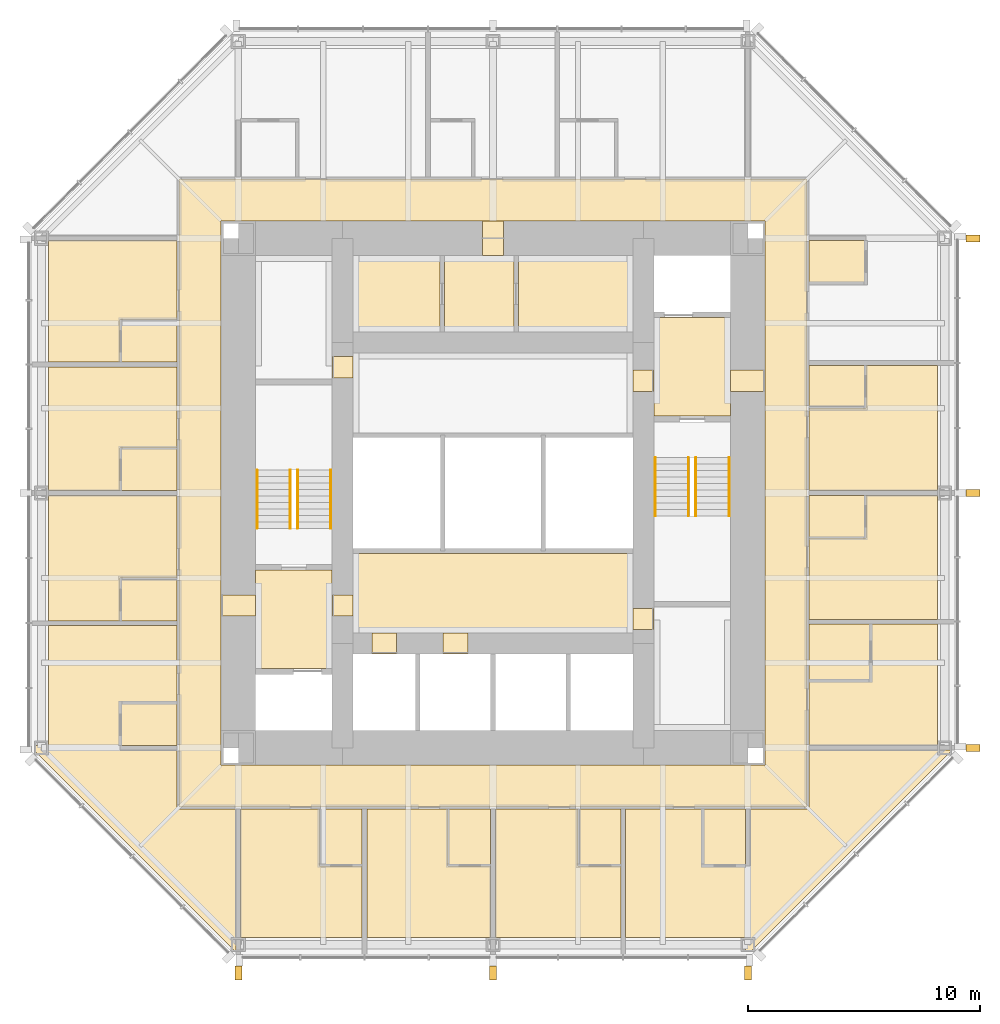
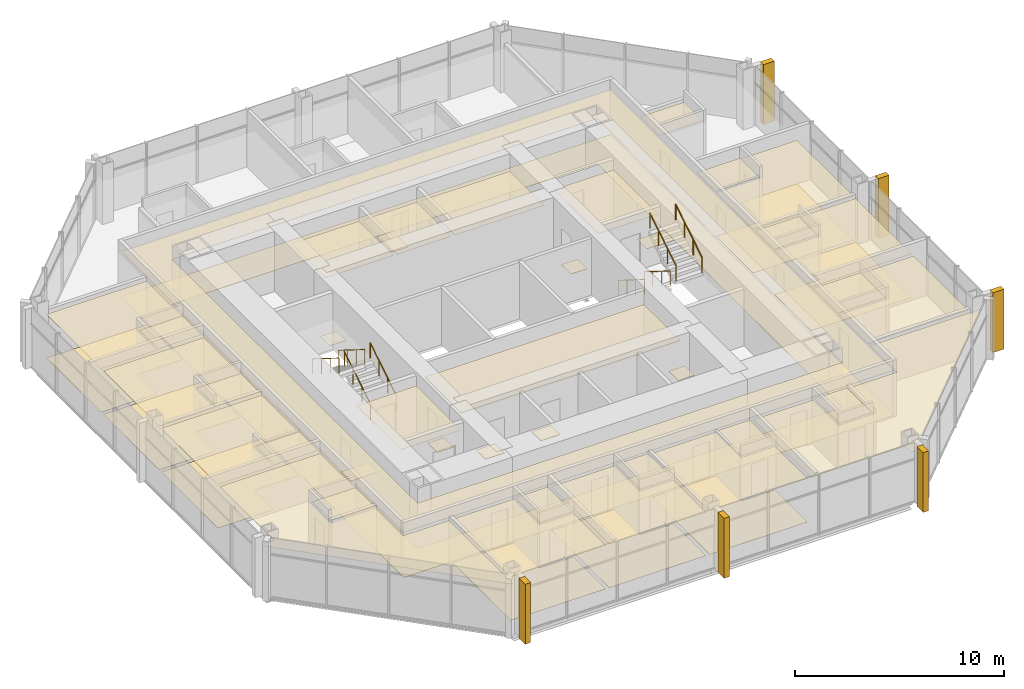
# One storey, part 11 of 12: 54 coverings, 8 railings.
"""IFC4 building model written with IfcOpenShell, lengths in metres."""

from ifc_helpers import new_model, si_unit, direction, frame, origin, origin_2d, place, context, subcontext, project, spatial, polyline, rectangle, circle, outline, extrude, material, layer, layer_set, type_object, element, save


model = new_model("IFC4")

# Units and contexts
model_context = context("Model", 3, precision=1e-05, world=origin(), true_north=direction((0.0, 1.0)))
body_context = subcontext(model_context, "Body", "Model", "MODEL_VIEW")
ifc_project = project(units=[si_unit("LENGTHUNIT", "METRE"), si_unit("AREAUNIT", "SQUARE_METRE"), si_unit("VOLUMEUNIT", "CUBIC_METRE"), si_unit("PLANEANGLEUNIT", "RADIAN"), si_unit("MASSUNIT", "GRAM", prefix="KILO")], contexts=[model_context])

# Site, building, storey
site_placement = place(None, origin())
site = spatial("IfcSite", under=ifc_project, at=site_placement, CompositionType="ELEMENT")
building_placement = place(site_placement, origin())
building = spatial("IfcBuilding", under=site, at=building_placement, Name="Trevanion Tower", CompositionType="ELEMENT")
storey_placement = place(building_placement, frame((0.0, 0.0, 204.699951171875)))
storey = spatial("IfcBuildingStorey", under=building, at=storey_placement, Name="L48", CompositionType="ELEMENT", Elevation=204.699951171875)

# Coverings
ifc_material_1 = material(Name="Fibrous plaster coffers on suspended steel grid", Category="steel")
ifc_layer_1 = layer(ifc_material_1, 0.050048828125)
ifc_layer_set_1 = layer_set([ifc_layer_1], Name="CL1 coffered fibrous plaster ceiling 50")
covering_type_1 = type_object("IfcCoveringType", Name="CL1 coffered fibrous plaster ceiling 50", PredefinedType="CEILING", material=ifc_layer_set_1)
covering_1_placement = place(storey_placement, frame((0.0, 0.0, 2.429931640625)))
element("IfcCovering", 1, at=covering_1_placement, inside=storey, type_object=covering_type_1, Name="CL1 L48-LBS", PredefinedType="CEILING", context=body_context, shape_type="SweptSolid", body=[
    extrude(outline(polyline([(6.050048828125, -6.050048828125), (6.050048828125, -2.60009765625), (-6.050048828125, -2.60009765625), (-6.050048828125, -6.050048828125), (6.050048828125, -6.050048828125)])), origin(), (0.0, 0.0, 1.0), 0.050048828125),
])
ifc_material_2 = material(Name="Mineral fibre acoustic tiles in exposed grid", Category="mineral fibre")
ifc_layer_2 = layer(ifc_material_2, 0.02001953125)
ifc_layer_set_2 = layer_set([ifc_layer_2], Name="CL2 acoustic tile ceiling 20")
covering_type_2 = type_object("IfcCoveringType", Name="CL2 acoustic tile ceiling 20", PredefinedType="CEILING", material=ifc_layer_set_2)
covering_2_placement = place(storey_placement, frame((0.0, 0.0, 2.4599609375)))
element("IfcCovering", 2, at=covering_2_placement, inside=storey, type_object=covering_type_2, Name="CL2 L48-HKC", PredefinedType="CEILING", context=body_context, shape_type="SweptSolid", body=[
    extrude(outline(polyline([(0.89990234375, 6.949951171875), (0.89990234375, 10.25), (-2.10009765625, 10.25), (-2.10009765625, 6.949951171875), (0.89990234375, 6.949951171875)])), origin(), (0.0, 0.0, 1.0), 0.02001953125),
])
covering_3_placement = place(storey_placement, frame((0.0, 0.0, 2.633056640625)))
element("IfcCovering", 3, at=covering_3_placement, inside=storey, type_object=covering_type_2, Name="CL2 L48-CO", PredefinedType="CEILING", context=body_context, shape_type="SweptSolid", body=[
    extrude(outline(polyline([(-13.550048828125, -13.550048828125), (-13.550048828125, 13.550048828125), (13.550048828125, 13.550048828125), (13.550048828125, -13.550048828125), (-13.550048828125, -13.550048828125)]), holes=[polyline([(11.75, 11.75), (-11.75, 11.75), (-11.75, -11.75), (11.75, -11.75), (11.75, 11.75)])]), origin(), (0.0, 0.0, 1.0), 0.02001953125),
])
ifc_material_3 = material(Name="Gypsum plasterboard on suspended metal furring", Category="gypsum")
ifc_layer_3 = layer(ifc_material_3, 0.012939453125)
ifc_layer_set_3 = layer_set([ifc_layer_3], Name="CL3 plasterboard ceiling 13")
covering_type_3 = type_object("IfcCoveringType", Name="CL3 plasterboard ceiling 13", PredefinedType="CEILING", material=ifc_layer_set_3)
covering_4_placement = place(storey_placement, frame((0.0, 0.0, 2.699951171875)))
element("IfcCovering", 4, at=covering_4_placement, inside=storey, type_object=covering_type_3, Name="CL3 L48-FV1", PredefinedType="CEILING", context=body_context, shape_type="SweptSolid", body=[
    extrude(outline(polyline([(10.25, 3.324951171875), (10.25, 7.574951171875), (6.949951171875, 7.574951171875), (6.949951171875, 3.324951171875), (10.25, 3.324951171875)])), origin(), (0.0, 0.0, 1.0), 0.01318359375),
])
covering_5_placement = place(storey_placement, frame((0.0, 0.0, 2.699951171875)))
element("IfcCovering", 5, at=covering_5_placement, inside=storey, type_object=covering_type_3, Name="CL3 L48-FV2", PredefinedType="CEILING", context=body_context, shape_type="SweptSolid", body=[
    extrude(outline(polyline([(-10.25, -3.324951171875), (-10.25, -7.574951171875), (-6.949951171875, -7.574951171875), (-6.949951171875, -3.324951171875), (-10.25, -3.324951171875)])), origin(), (0.0, 0.0, 1.0), 0.01318359375),
])
covering_6_placement = place(storey_placement, frame((0.0, 0.0, 2.551025390625)))
element("IfcCovering", 6, at=covering_6_placement, inside=storey, type_object=covering_type_3, Name="CL3 L48-GA", PredefinedType="CEILING", context=body_context, shape_type="SweptSolid", body=[
    extrude(outline(polyline([(13.64990234375, -8.09912109375), (16.300048828125, -8.09912109375), (16.300048828125, -5.64892578125), (19.199951171875, -5.64892578125), (19.199951171875, -10.89990234375), (13.64990234375, -10.89990234375), (13.64990234375, -8.09912109375)])), origin(), (0.0, 0.0, 1.0), 0.012939453125),
])
covering_7_placement = place(storey_placement, frame((0.0, 0.0, 2.551025390625)))
element("IfcCovering", 7, at=covering_7_placement, inside=storey, type_object=covering_type_3, Name="CL3 L48-GR", PredefinedType="CEILING", context=body_context, shape_type="SweptSolid", body=[
    extrude(outline(polyline([(13.64990234375, -1.949951171875), (16.10009765625, -1.949951171875), (16.10009765625, -0.10009765625), (19.199951171875, -0.10009765625), (19.199951171875, -5.448974609375), (13.64990234375, -5.448974609375), (13.64990234375, -1.949951171875)])), origin(), (0.0, 0.0, 1.0), 0.012939453125),
])
covering_8_placement = place(storey_placement, frame((0.0, 0.0, 2.551025390625)))
element("IfcCovering", 8, at=covering_8_placement, inside=storey, type_object=covering_type_3, Name="CL3 L48-GR2", PredefinedType="CEILING", context=body_context, shape_type="SweptSolid", body=[
    extrude(outline(polyline([(13.64990234375, 3.6640625), (16.10009765625, 3.6640625), (16.10009765625, 5.513916015625), (19.199951171875, 5.513916015625), (19.199951171875, 0.10009765625), (13.64990234375, 0.10009765625), (13.64990234375, 3.6640625)])), origin(), (0.0, 0.0, 1.0), 0.012939453125),
])
covering_9_placement = place(storey_placement, frame((0.0, 0.0, 2.551025390625)))
element("IfcCovering", 9, at=covering_9_placement, inside=storey, type_object=covering_type_3, Name="CL3 L48-GR5", PredefinedType="CEILING", context=body_context, shape_type="SweptSolid", body=[
    extrude(outline(polyline([(-13.64990234375, 7.4990234375), (-16.10009765625, 7.4990234375), (-16.10009765625, 5.64892578125), (-19.199951171875, 5.64892578125), (-19.199951171875, 10.89990234375), (-13.64990234375, 10.89990234375), (-13.64990234375, 7.4990234375)])), origin(), (0.0, 0.0, 1.0), 0.012939453125),
])
covering_10_placement = place(storey_placement, frame((0.0, 0.0, 2.551025390625)))
element("IfcCovering", 10, at=covering_10_placement, inside=storey, type_object=covering_type_3, Name="CL3 L48-GR6", PredefinedType="CEILING", context=body_context, shape_type="SweptSolid", body=[
    extrude(outline(polyline([(-13.64990234375, 1.949951171875), (-16.10009765625, 1.949951171875), (-16.10009765625, 0.10009765625), (-19.199951171875, 0.10009765625), (-19.199951171875, 5.448974609375), (-13.64990234375, 5.448974609375), (-13.64990234375, 1.949951171875)])), origin(), (0.0, 0.0, 1.0), 0.012939453125),
])
covering_11_placement = place(storey_placement, frame((0.0, 0.0, 2.551025390625)))
element("IfcCovering", 11, at=covering_11_placement, inside=storey, type_object=covering_type_3, Name="CL3 L48-GR7", PredefinedType="CEILING", context=body_context, shape_type="SweptSolid", body=[
    extrude(outline(polyline([(-13.64990234375, -3.6640625), (-16.10009765625, -3.6640625), (-16.10009765625, -5.513916015625), (-19.199951171875, -5.513916015625), (-19.199951171875, -0.10009765625), (-13.64990234375, -0.10009765625), (-13.64990234375, -3.6640625)])), origin(), (0.0, 0.0, 1.0), 0.012939453125),
])
covering_12_placement = place(storey_placement, frame((0.0, 0.0, 2.551025390625)))
element("IfcCovering", 12, at=covering_12_placement, inside=storey, type_object=covering_type_3, Name="CL3 L48-GR8", PredefinedType="CEILING", context=body_context, shape_type="SweptSolid", body=[
    extrude(outline(polyline([(-11.10009765625, -13.64990234375), (-11.10009765625, -19.800048828125), (-11.124267578125, -19.800048828125), (-19.800048828125, -11.124267578125), (-19.800048828125, -10.89990234375), (-19.199951171875, -10.89990234375), (-19.199951171875, -5.714111328125), (-13.64990234375, -5.714111328125), (-13.64990234375, -9.050048828125), (-16.10009765625, -9.050048828125), (-16.10009765625, -10.949951171875), (-13.64990234375, -10.949951171875), (-13.64990234375, -13.64990234375), (-11.10009765625, -13.64990234375)])), origin(), (0.0, 0.0, 1.0), 0.012939453125),
])
covering_13_placement = place(storey_placement, frame((0.0, 0.0, 2.551025390625)))
element("IfcCovering", 13, at=covering_13_placement, inside=storey, type_object=covering_type_3, Name="CL3 L48-GR9", PredefinedType="CEILING", context=body_context, shape_type="SweptSolid", body=[
    extrude(outline(polyline([(-7.4990234375, -13.64990234375), (-7.4990234375, -16.10009765625), (-5.64892578125, -16.10009765625), (-5.64892578125, -19.199951171875), (-10.89990234375, -19.199951171875), (-10.89990234375, -13.64990234375), (-7.4990234375, -13.64990234375)])), origin(), (0.0, 0.0, 1.0), 0.012939453125),
])
covering_14_placement = place(storey_placement, frame((0.0, 0.0, 2.551025390625)))
element("IfcCovering", 14, at=covering_14_placement, inside=storey, type_object=covering_type_3, Name="CL3 L48-GR10", PredefinedType="CEILING", context=body_context, shape_type="SweptSolid", body=[
    extrude(outline(polyline([(-1.949951171875, -13.64990234375), (-1.949951171875, -16.10009765625), (-0.10009765625, -16.10009765625), (-0.10009765625, -19.199951171875), (-5.448974609375, -19.199951171875), (-5.448974609375, -13.64990234375), (-1.949951171875, -13.64990234375)])), origin(), (0.0, 0.0, 1.0), 0.012939453125),
])
covering_15_placement = place(storey_placement, frame((0.0, 0.0, 2.551025390625)))
element("IfcCovering", 15, at=covering_15_placement, inside=storey, type_object=covering_type_3, Name="CL3 L48-GR11", PredefinedType="CEILING", context=body_context, shape_type="SweptSolid", body=[
    extrude(outline(polyline([(3.6640625, -13.64990234375), (3.6640625, -16.10009765625), (5.513916015625, -16.10009765625), (5.513916015625, -19.199951171875), (0.10009765625, -19.199951171875), (0.10009765625, -13.64990234375), (3.6640625, -13.64990234375)])), origin(), (0.0, 0.0, 1.0), 0.012939453125),
])
covering_16_placement = place(storey_placement, frame((0.0, 0.0, 2.551025390625)))
element("IfcCovering", 16, at=covering_16_placement, inside=storey, type_object=covering_type_3, Name="CL3 L48-GR12", PredefinedType="CEILING", context=body_context, shape_type="SweptSolid", body=[
    extrude(outline(polyline([(13.64990234375, -11.10009765625), (19.800048828125, -11.10009765625), (19.800048828125, -11.124267578125), (11.124267578125, -19.800048828125), (10.89990234375, -19.800048828125), (10.89990234375, -19.199951171875), (5.714111328125, -19.199951171875), (5.714111328125, -13.64990234375), (9.050048828125, -13.64990234375), (9.050048828125, -16.10009765625), (10.949951171875, -16.10009765625), (10.949951171875, -13.64990234375), (13.64990234375, -13.64990234375), (13.64990234375, -11.10009765625)])), origin(), (0.0, 0.0, 1.0), 0.012939453125),
])
ifc_material_4 = material(Name="Moisture-resistant gypsum board on suspended metal furring", Category="gypsum")
ifc_layer_4 = layer(ifc_material_4, 0.01611328125)
ifc_layer_set_4 = layer_set([ifc_layer_4], Name="CL4 moisture-resistant board ceiling 16")
covering_type_4 = type_object("IfcCoveringType", Name="CL4 moisture-resistant board ceiling 16", PredefinedType="CEILING", material=ifc_layer_set_4)
covering_17_placement = place(storey_placement, frame((0.0, 0.0, 2.464111328125)))
element("IfcCovering", 17, at=covering_17_placement, inside=storey, type_object=covering_type_4, Name="CL4 L48-HK", PredefinedType="CEILING", context=body_context, shape_type="SweptSolid", body=[
    extrude(outline(polyline([(-2.300048828125, 6.949951171875), (-2.300048828125, 10.25), (-6.050048828125, 10.25), (-6.050048828125, 6.949951171875), (-2.300048828125, 6.949951171875)])), origin(), (0.0, 0.0, 1.0), 0.015869140625),
])
covering_18_placement = place(storey_placement, frame((0.0, 0.0, 2.464111328125)))
element("IfcCovering", 18, at=covering_18_placement, inside=storey, type_object=covering_type_4, Name="CL4 L48-HKL", PredefinedType="CEILING", context=body_context, shape_type="SweptSolid", body=[
    extrude(outline(polyline([(6.050048828125, 6.949951171875), (6.050048828125, 10.25), (1.10009765625, 10.25), (1.10009765625, 6.949951171875), (6.050048828125, 6.949951171875)])), origin(), (0.0, 0.0, 1.0), 0.015869140625),
])
covering_19_placement = place(storey_placement, frame((0.0, 0.0, 2.60009765625)))
element("IfcCovering", 19, at=covering_19_placement, inside=storey, type_object=covering_type_4, Name="CL4 L48-EN", PredefinedType="CEILING", context=body_context, shape_type="SweptSolid", body=[
    extrude(outline(polyline([(16.25, -8.049072265625), (16.25, -5.64892578125), (13.64990234375, -5.64892578125), (13.64990234375, -8.049072265625), (16.25, -8.049072265625)])), origin(), (0.0, 0.0, 1.0), 0.015869140625),
])
covering_20_placement = place(storey_placement, frame((0.0, 0.0, 2.60009765625)))
element("IfcCovering", 20, at=covering_20_placement, inside=storey, type_object=covering_type_4, Name="CL4 L48-EN2", PredefinedType="CEILING", context=body_context, shape_type="SweptSolid", body=[
    extrude(outline(polyline([(16.050048828125, -1.89990234375), (16.050048828125, -0.10009765625), (13.64990234375, -0.10009765625), (13.64990234375, -1.89990234375), (16.050048828125, -1.89990234375)])), origin(), (0.0, 0.0, 1.0), 0.015869140625),
])
covering_21_placement = place(storey_placement, frame((0.0, 0.0, 2.60009765625)))
element("IfcCovering", 21, at=covering_21_placement, inside=storey, type_object=covering_type_4, Name="CL4 L48-EN3", PredefinedType="CEILING", context=body_context, shape_type="SweptSolid", body=[
    extrude(outline(polyline([(16.050048828125, 3.714111328125), (16.050048828125, 5.513916015625), (13.64990234375, 5.513916015625), (13.64990234375, 3.714111328125), (16.050048828125, 3.714111328125)])), origin(), (0.0, 0.0, 1.0), 0.015869140625),
])
covering_22_placement = place(storey_placement, frame((0.0, 0.0, 2.60009765625)))
element("IfcCovering", 22, at=covering_22_placement, inside=storey, type_object=covering_type_4, Name="CL4 L48-EN4", PredefinedType="CEILING", context=body_context, shape_type="SweptSolid", body=[
    extrude(outline(polyline([(16.050048828125, 9.10009765625), (16.050048828125, 10.89990234375), (13.64990234375, 10.89990234375), (13.64990234375, 9.10009765625), (16.050048828125, 9.10009765625)])), origin(), (0.0, 0.0, 1.0), 0.015869140625),
])
covering_23_placement = place(storey_placement, frame((0.0, 0.0, 2.60009765625)))
element("IfcCovering", 23, at=covering_23_placement, inside=storey, type_object=covering_type_4, Name="CL4 L48-EN8", PredefinedType="CEILING", context=body_context, shape_type="SweptSolid", body=[
    extrude(outline(polyline([(-16.050048828125, 7.448974609375), (-16.050048828125, 5.64892578125), (-13.64990234375, 5.64892578125), (-13.64990234375, 7.448974609375), (-16.050048828125, 7.448974609375)])), origin(), (0.0, 0.0, 1.0), 0.015869140625),
])
covering_24_placement = place(storey_placement, frame((0.0, 0.0, 2.60009765625)))
element("IfcCovering", 24, at=covering_24_placement, inside=storey, type_object=covering_type_4, Name="CL4 L48-EN9", PredefinedType="CEILING", context=body_context, shape_type="SweptSolid", body=[
    extrude(outline(polyline([(-16.050048828125, 1.89990234375), (-16.050048828125, 0.10009765625), (-13.64990234375, 0.10009765625), (-13.64990234375, 1.89990234375), (-16.050048828125, 1.89990234375)])), origin(), (0.0, 0.0, 1.0), 0.015869140625),
])
covering_25_placement = place(storey_placement, frame((0.0, 0.0, 2.60009765625)))
element("IfcCovering", 25, at=covering_25_placement, inside=storey, type_object=covering_type_4, Name="CL4 L48-EN10", PredefinedType="CEILING", context=body_context, shape_type="SweptSolid", body=[
    extrude(outline(polyline([(-16.050048828125, -3.714111328125), (-16.050048828125, -5.513916015625), (-13.64990234375, -5.513916015625), (-13.64990234375, -3.714111328125), (-16.050048828125, -3.714111328125)])), origin(), (0.0, 0.0, 1.0), 0.015869140625),
])
covering_26_placement = place(storey_placement, frame((0.0, 0.0, 2.60009765625)))
element("IfcCovering", 26, at=covering_26_placement, inside=storey, type_object=covering_type_4, Name="CL4 L48-EN11", PredefinedType="CEILING", context=body_context, shape_type="SweptSolid", body=[
    extrude(outline(polyline([(-16.050048828125, -9.10009765625), (-16.050048828125, -10.89990234375), (-13.64990234375, -10.89990234375), (-13.64990234375, -9.10009765625), (-16.050048828125, -9.10009765625)])), origin(), (0.0, 0.0, 1.0), 0.015869140625),
])
covering_27_placement = place(storey_placement, frame((0.0, 0.0, 2.60009765625)))
element("IfcCovering", 27, at=covering_27_placement, inside=storey, type_object=covering_type_4, Name="CL4 L48-EN12", PredefinedType="CEILING", context=body_context, shape_type="SweptSolid", body=[
    extrude(outline(polyline([(-7.448974609375, -16.050048828125), (-5.64892578125, -16.050048828125), (-5.64892578125, -13.64990234375), (-7.448974609375, -13.64990234375), (-7.448974609375, -16.050048828125)])), origin(), (0.0, 0.0, 1.0), 0.015869140625),
])
covering_28_placement = place(storey_placement, frame((0.0, 0.0, 2.60009765625)))
element("IfcCovering", 28, at=covering_28_placement, inside=storey, type_object=covering_type_4, Name="CL4 L48-EN13", PredefinedType="CEILING", context=body_context, shape_type="SweptSolid", body=[
    extrude(outline(polyline([(-1.89990234375, -16.050048828125), (-0.10009765625, -16.050048828125), (-0.10009765625, -13.64990234375), (-1.89990234375, -13.64990234375), (-1.89990234375, -16.050048828125)])), origin(), (0.0, 0.0, 1.0), 0.015869140625),
])
covering_29_placement = place(storey_placement, frame((0.0, 0.0, 2.60009765625)))
element("IfcCovering", 29, at=covering_29_placement, inside=storey, type_object=covering_type_4, Name="CL4 L48-EN14", PredefinedType="CEILING", context=body_context, shape_type="SweptSolid", body=[
    extrude(outline(polyline([(3.714111328125, -16.050048828125), (5.513916015625, -16.050048828125), (5.513916015625, -13.64990234375), (3.714111328125, -13.64990234375), (3.714111328125, -16.050048828125)])), origin(), (0.0, 0.0, 1.0), 0.015869140625),
])
covering_30_placement = place(storey_placement, frame((0.0, 0.0, 2.60009765625)))
element("IfcCovering", 30, at=covering_30_placement, inside=storey, type_object=covering_type_4, Name="CL4 L48-EN15", PredefinedType="CEILING", context=body_context, shape_type="SweptSolid", body=[
    extrude(outline(polyline([(9.10009765625, -16.050048828125), (10.89990234375, -16.050048828125), (10.89990234375, -13.64990234375), (9.10009765625, -13.64990234375), (9.10009765625, -16.050048828125)])), origin(), (0.0, 0.0, 1.0), 0.015869140625),
])
ifc_material_5 = material(Name="Cast bronze fin on aluminium carrier", Category="aluminium")
covering_type_5 = type_object("IfcCoveringType", Name="F1 bronze fin", PredefinedType="CLADDING", material=ifc_material_5)
for number, where, z_axis, x_axis, name in (
    (31, (20.72509765625, -11.0, -0.18994140625), (0.0, 0.0, 1.0), (0.0, 1.0, 0.0), "F1 L48 east -11.0"),
    (32, (20.72509765625, 0.0, -0.18994140625), (0.0, 0.0, 1.0), (0.0, 1.0, 0.0), "F1 L48 east +0.0"),
    (33, (20.72509765625, 11.0, -0.18994140625), (0.0, 0.0, 1.0), (0.0, 1.0, 0.0), "F1 L48 east +11.0"),
    (34, (-11.0, -20.72509765625, -0.18994140625), (0.0, 0.0, 1.0), (1.0, 0.0, 0.0), "F1 L48 south -11.0"),
    (35, (0.0, -20.72509765625, -0.18994140625), (0.0, 0.0, 1.0), (1.0, 0.0, 0.0), "F1 L48 south +0.0"),
    (36, (11.0, -20.72509765625, -0.18994140625), (0.0, 0.0, 1.0), (1.0, 0.0, 0.0), "F1 L48 south +11.0"),
):
    element("IfcCovering", number, at=place(storey_placement, frame(where, z_axis=z_axis, x_axis=x_axis)), inside=storey, type_object=covering_type_5, Name=name, PredefinedType="CLADDING", context=body_context, shape_type="SweptSolid", body=[
        extrude(rectangle(XDim=0.300048828125, YDim=0.60009765625, at=origin_2d()), origin(), (0.0, 0.0, 1.0), 3.5),
    ])
ifc_material_6 = material(Name="Terrazzo, brass divider strips", Category="stone")
ifc_layer_5 = layer(ifc_material_6, 0.02001953125)
ifc_layer_set_5 = layer_set([ifc_layer_5], Name="FF1 terrazzo flooring")
covering_type_6 = type_object("IfcCoveringType", Name="FF1 terrazzo flooring", PredefinedType="FLOORING", material=ifc_layer_set_5)
covering_31_placement = place(storey_placement, origin())
element("IfcCovering", 37, at=covering_31_placement, inside=storey, type_object=covering_type_6, Name="FF1 threshold 48-001", PredefinedType="FLOORING", context=body_context, shape_type="SweptSolid", body=[
    extrude(outline(polyline([(11.75, 4.392578125), (11.75, 5.3076171875), (10.25, 5.3076171875), (10.25, 4.392578125), (11.75, 4.392578125)])), origin(), (0.0, 0.0, 1.0), 0.02001953125),
])
covering_32_placement = place(storey_placement, origin())
element("IfcCovering", 38, at=covering_32_placement, inside=storey, type_object=covering_type_6, Name="FF1 threshold 48-002", PredefinedType="FLOORING", context=body_context, shape_type="SweptSolid", body=[
    extrude(outline(polyline([(-11.75, -4.392578125), (-11.75, -5.3076171875), (-10.25, -5.3076171875), (-10.25, -4.392578125), (-11.75, -4.392578125)])), origin(), (0.0, 0.0, 1.0), 0.02001953125),
])
covering_33_placement = place(storey_placement, origin())
element("IfcCovering", 39, at=covering_33_placement, inside=storey, type_object=covering_type_6, Name="FF1 threshold 48-003", PredefinedType="FLOORING", context=body_context, shape_type="SweptSolid", body=[
    extrude(outline(polyline([(6.949951171875, 4.392578125), (6.949951171875, 5.3076171875), (6.050048828125, 5.3076171875), (6.050048828125, 4.392578125), (6.949951171875, 4.392578125)])), origin(), (0.0, 0.0, 1.0), 0.02001953125),
])
covering_34_placement = place(storey_placement, origin())
element("IfcCovering", 40, at=covering_34_placement, inside=storey, type_object=covering_type_6, Name="FF1 threshold 48-004", PredefinedType="FLOORING", context=body_context, shape_type="SweptSolid", body=[
    extrude(outline(polyline([(-6.949951171875, -4.392578125), (-6.949951171875, -5.3076171875), (-6.050048828125, -5.3076171875), (-6.050048828125, -4.392578125), (-6.949951171875, -4.392578125)])), origin(), (0.0, 0.0, 1.0), 0.02001953125),
])
covering_35_placement = place(storey_placement, origin())
element("IfcCovering", 41, at=covering_35_placement, inside=storey, type_object=covering_type_6, Name="FF1 threshold 48-009", PredefinedType="FLOORING", context=body_context, shape_type="SweptSolid", body=[
    extrude(outline(polyline([(6.949951171875, -5.889892578125), (6.949951171875, -4.97509765625), (6.050048828125, -4.97509765625), (6.050048828125, -5.889892578125), (6.949951171875, -5.889892578125)])), origin(), (0.0, 0.0, 1.0), 0.02001953125),
])
covering_36_placement = place(storey_placement, origin())
element("IfcCovering", 42, at=covering_36_placement, inside=storey, type_object=covering_type_6, Name="FF1 threshold 48-010", PredefinedType="FLOORING", context=body_context, shape_type="SweptSolid", body=[
    extrude(outline(polyline([(-6.949951171875, 5.889892578125), (-6.949951171875, 4.97509765625), (-6.050048828125, 4.97509765625), (-6.050048828125, 5.889892578125), (-6.949951171875, 5.889892578125)])), origin(), (0.0, 0.0, 1.0), 0.02001953125),
])
covering_37_placement = place(storey_placement, origin())
element("IfcCovering", 43, at=covering_37_placement, inside=storey, type_object=covering_type_6, Name="FF1 threshold 48-011", PredefinedType="FLOORING", context=body_context, shape_type="SweptSolid", body=[
    extrude(outline(polyline([(-5.2333984375, -6.949951171875), (-4.16650390625, -6.949951171875), (-4.16650390625, -6.050048828125), (-5.2333984375, -6.050048828125), (-5.2333984375, -6.949951171875)])), origin(), (0.0, 0.0, 1.0), 0.02001953125),
])
covering_38_placement = place(storey_placement, origin())
element("IfcCovering", 44, at=covering_38_placement, inside=storey, type_object=covering_type_6, Name="FF1 threshold 48-012", PredefinedType="FLOORING", context=body_context, shape_type="SweptSolid", body=[
    extrude(outline(polyline([(-2.158447265625, -6.949951171875), (-1.091552734375, -6.949951171875), (-1.091552734375, -6.050048828125), (-2.158447265625, -6.050048828125), (-2.158447265625, -6.949951171875)])), origin(), (0.0, 0.0, 1.0), 0.02001953125),
])
covering_39_placement = place(storey_placement, origin())
element("IfcCovering", 45, at=covering_39_placement, inside=storey, type_object=covering_type_6, Name="FF1 threshold 48-013", PredefinedType="FLOORING", context=body_context, shape_type="SweptSolid", body=[
    extrude(outline(polyline([(0.45751953125, 11.75), (-0.45751953125, 11.75), (-0.45751953125, 10.25), (0.45751953125, 10.25), (0.45751953125, 11.75)])), origin(), (0.0, 0.0, 1.0), 0.02001953125),
])
ifc_material_7 = material(Name="Wool carpet on underlay", Category="textile")
ifc_layer_6 = layer(ifc_material_7, 0.011962890625)
ifc_layer_set_6 = layer_set([ifc_layer_6], Name="FF2 carpet flooring")
covering_type_7 = type_object("IfcCoveringType", Name="FF2 carpet flooring", PredefinedType="FLOORING", material=ifc_layer_set_6)
covering_40_placement = place(storey_placement, origin())
element("IfcCovering", 46, at=covering_40_placement, inside=storey, type_object=covering_type_7, Name="FF2 L48-CO", PredefinedType="FLOORING", context=body_context, shape_type="SweptSolid", body=[
    extrude(outline(polyline([(-13.550048828125, -13.550048828125), (-13.550048828125, 13.550048828125), (13.550048828125, 13.550048828125), (13.550048828125, -13.550048828125), (-13.550048828125, -13.550048828125)]), holes=[polyline([(11.75, 11.75), (-11.75, 11.75), (-11.75, -11.75), (11.75, -11.75), (11.75, 11.75)])]), origin(), (0.0, 0.0, 1.0), 0.011962890625),
])
covering_41_placement = place(storey_placement, origin())
element("IfcCovering", 47, at=covering_41_placement, inside=storey, type_object=covering_type_7, Name="FF2 L48-GR", PredefinedType="FLOORING", context=body_context, shape_type="SweptSolid", body=[
    extrude(outline(polyline([(13.64990234375, -1.949951171875), (16.10009765625, -1.949951171875), (16.10009765625, -0.10009765625), (19.199951171875, -0.10009765625), (19.199951171875, -5.448974609375), (13.64990234375, -5.448974609375), (13.64990234375, -1.949951171875)])), origin(), (0.0, 0.0, 1.0), 0.011962890625),
])
covering_42_placement = place(storey_placement, origin())
element("IfcCovering", 48, at=covering_42_placement, inside=storey, type_object=covering_type_7, Name="FF2 L48-GR2", PredefinedType="FLOORING", context=body_context, shape_type="SweptSolid", body=[
    extrude(outline(polyline([(13.64990234375, 3.6640625), (16.10009765625, 3.6640625), (16.10009765625, 5.513916015625), (19.199951171875, 5.513916015625), (19.199951171875, 0.10009765625), (13.64990234375, 0.10009765625), (13.64990234375, 3.6640625)])), origin(), (0.0, 0.0, 1.0), 0.011962890625),
])
covering_43_placement = place(storey_placement, origin())
element("IfcCovering", 49, at=covering_43_placement, inside=storey, type_object=covering_type_7, Name="FF2 L48-GR5", PredefinedType="FLOORING", context=body_context, shape_type="SweptSolid", body=[
    extrude(outline(polyline([(-13.64990234375, 7.4990234375), (-16.10009765625, 7.4990234375), (-16.10009765625, 5.64892578125), (-19.199951171875, 5.64892578125), (-19.199951171875, 10.89990234375), (-13.64990234375, 10.89990234375), (-13.64990234375, 7.4990234375)])), origin(), (0.0, 0.0, 1.0), 0.011962890625),
])
covering_44_placement = place(storey_placement, origin())
element("IfcCovering", 50, at=covering_44_placement, inside=storey, type_object=covering_type_7, Name="FF2 L48-GR6", PredefinedType="FLOORING", context=body_context, shape_type="SweptSolid", body=[
    extrude(outline(polyline([(-13.64990234375, 1.949951171875), (-16.10009765625, 1.949951171875), (-16.10009765625, 0.10009765625), (-19.199951171875, 0.10009765625), (-19.199951171875, 5.448974609375), (-13.64990234375, 5.448974609375), (-13.64990234375, 1.949951171875)])), origin(), (0.0, 0.0, 1.0), 0.011962890625),
])
covering_45_placement = place(storey_placement, origin())
element("IfcCovering", 51, at=covering_45_placement, inside=storey, type_object=covering_type_7, Name="FF2 L48-GR7", PredefinedType="FLOORING", context=body_context, shape_type="SweptSolid", body=[
    extrude(outline(polyline([(-13.64990234375, -3.6640625), (-16.10009765625, -3.6640625), (-16.10009765625, -5.513916015625), (-19.199951171875, -5.513916015625), (-19.199951171875, -0.10009765625), (-13.64990234375, -0.10009765625), (-13.64990234375, -3.6640625)])), origin(), (0.0, 0.0, 1.0), 0.011962890625),
])
covering_46_placement = place(storey_placement, origin())
element("IfcCovering", 52, at=covering_46_placement, inside=storey, type_object=covering_type_7, Name="FF2 L48-GR9", PredefinedType="FLOORING", context=body_context, shape_type="SweptSolid", body=[
    extrude(outline(polyline([(-7.4990234375, -13.64990234375), (-7.4990234375, -16.10009765625), (-5.64892578125, -16.10009765625), (-5.64892578125, -19.199951171875), (-10.89990234375, -19.199951171875), (-10.89990234375, -13.64990234375), (-7.4990234375, -13.64990234375)])), origin(), (0.0, 0.0, 1.0), 0.011962890625),
])
covering_47_placement = place(storey_placement, origin())
element("IfcCovering", 53, at=covering_47_placement, inside=storey, type_object=covering_type_7, Name="FF2 L48-GR10", PredefinedType="FLOORING", context=body_context, shape_type="SweptSolid", body=[
    extrude(outline(polyline([(-1.949951171875, -13.64990234375), (-1.949951171875, -16.10009765625), (-0.10009765625, -16.10009765625), (-0.10009765625, -19.199951171875), (-5.448974609375, -19.199951171875), (-5.448974609375, -13.64990234375), (-1.949951171875, -13.64990234375)])), origin(), (0.0, 0.0, 1.0), 0.011962890625),
])
covering_48_placement = place(storey_placement, origin())
element("IfcCovering", 54, at=covering_48_placement, inside=storey, type_object=covering_type_7, Name="FF2 L48-GR11", PredefinedType="FLOORING", context=body_context, shape_type="SweptSolid", body=[
    extrude(outline(polyline([(3.6640625, -13.64990234375), (3.6640625, -16.10009765625), (5.513916015625, -16.10009765625), (5.513916015625, -19.199951171875), (0.10009765625, -19.199951171875), (0.10009765625, -13.64990234375), (3.6640625, -13.64990234375)])), origin(), (0.0, 0.0, 1.0), 0.011962890625),
])

# Railings
ifc_material_8 = material(Name="Stainless steel tube 40 mm", Category="steel")
railing_type = type_object("IfcRailingType", Name="HR1 handrail", PredefinedType="HANDRAIL", material=ifc_material_8)
for number, where, name in (
    (55, (7.010009765625, 1.52490234375, 0.175048828125), "HR1 ST1 L48 flight 1"),
    (56, (8.43994140625, 1.52490234375, 0.175048828125), "HR1 ST1 L48 flight 1"),
):
    element("IfcRailing", number, at=place(storey_placement, frame(where)), inside=storey, type_object=railing_type, Name=name, PredefinedType="HANDRAIL", context=body_context, shape_type="SweptSolid", body=[
        extrude(circle(Radius=0.02001953125, at=origin_2d()), frame((0.0, 0.0, 0.8798828125), z_axis=(0.0, -0.848007534815, 0.529984170421), x_axis=(1.0, 0.0, 0.0)), (0.0, 0.0, 1.0), 2.9716796875),
        extrude(circle(Radius=0.01513671875, at=origin_2d()), origin(), (0.0, 0.0, 1.0), 0.85986328125),
        extrude(circle(Radius=0.01513671875, at=origin_2d()), frame((0.0, -0.840087890625, 0.52490234375)), (0.0, 0.0, 1.0), 0.85986328125),
        extrude(circle(Radius=0.01513671875, at=origin_2d()), frame((0.0, -1.679931640625, 1.050048828125)), (0.0, 0.0, 1.0), 0.85986328125),
        extrude(circle(Radius=0.01513671875, at=origin_2d()), frame((0.0, -2.52001953125, 1.574951171875)), (0.0, 0.0, 1.0), 0.85986328125),
    ])
for number, where, name in (
    (57, (8.760009765625, -0.9951171875, 1.925048828125), "HR1 ST1 L48 flight 2"),
    (58, (10.18994140625, -0.9951171875, 1.925048828125), "HR1 ST1 L48 flight 2"),
    (59, (-7.010009765625, -1.52490234375, 0.175048828125), "HR1 ST2 L48 flight 1"),
    (60, (-8.43994140625, -1.52490234375, 0.175048828125), "HR1 ST2 L48 flight 1"),
):
    element("IfcRailing", number, at=place(storey_placement, frame(where)), inside=storey, type_object=railing_type, Name=name, PredefinedType="HANDRAIL", context=body_context, shape_type="SweptSolid", body=[
        extrude(circle(Radius=0.02001953125, at=origin_2d()), frame((0.0, 0.0, 0.8798828125), z_axis=(0.0, 0.848007534815, 0.529984170421), x_axis=(-1.0, 0.0, 0.0)), (0.0, 0.0, 1.0), 2.9716796875),
        extrude(circle(Radius=0.01513671875, at=origin_2d()), origin(), (0.0, 0.0, 1.0), 0.85986328125),
        extrude(circle(Radius=0.01513671875, at=origin_2d()), frame((0.0, 0.840087890625, 0.52490234375)), (0.0, 0.0, 1.0), 0.85986328125),
        extrude(circle(Radius=0.01513671875, at=origin_2d()), frame((0.0, 1.679931640625, 1.050048828125)), (0.0, 0.0, 1.0), 0.85986328125),
        extrude(circle(Radius=0.01513671875, at=origin_2d()), frame((0.0, 2.52001953125, 1.574951171875)), (0.0, 0.0, 1.0), 0.85986328125),
    ])
for number, where, name in (
    (61, (-8.760009765625, 0.9951171875, 1.925048828125), "HR1 ST2 L48 flight 2"),
    (62, (-10.18994140625, 0.9951171875, 1.925048828125), "HR1 ST2 L48 flight 2"),
):
    element("IfcRailing", number, at=place(storey_placement, frame(where)), inside=storey, type_object=railing_type, Name=name, PredefinedType="HANDRAIL", context=body_context, shape_type="SweptSolid", body=[
        extrude(circle(Radius=0.02001953125, at=origin_2d()), frame((0.0, 0.0, 0.8798828125), z_axis=(0.0, -0.848007534815, 0.529984170421), x_axis=(1.0, 0.0, 0.0)), (0.0, 0.0, 1.0), 2.9716796875),
        extrude(circle(Radius=0.01513671875, at=origin_2d()), origin(), (0.0, 0.0, 1.0), 0.85986328125),
        extrude(circle(Radius=0.01513671875, at=origin_2d()), frame((0.0, -0.840087890625, 0.52490234375)), (0.0, 0.0, 1.0), 0.85986328125),
        extrude(circle(Radius=0.01513671875, at=origin_2d()), frame((0.0, -1.679931640625, 1.050048828125)), (0.0, 0.0, 1.0), 0.85986328125),
        extrude(circle(Radius=0.01513671875, at=origin_2d()), frame((0.0, -2.52001953125, 1.574951171875)), (0.0, 0.0, 1.0), 0.85986328125),
    ])

save(model, "model.ifc")
